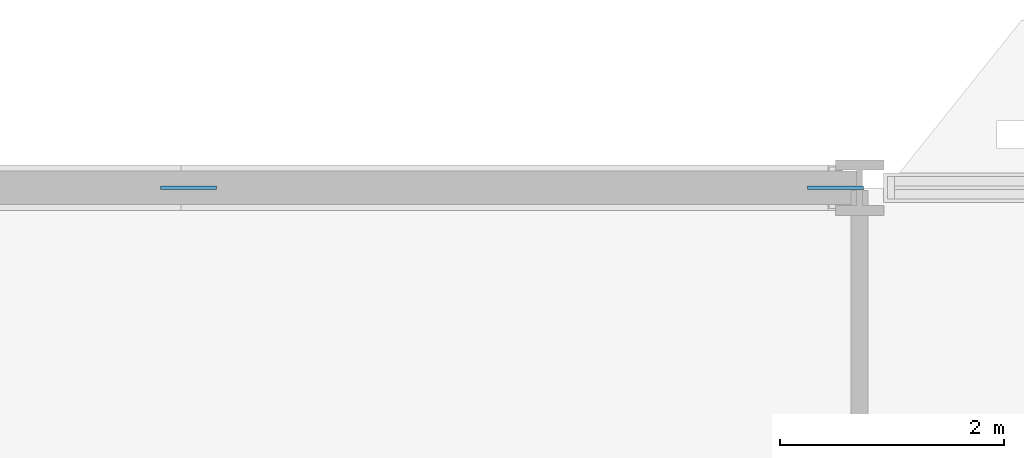
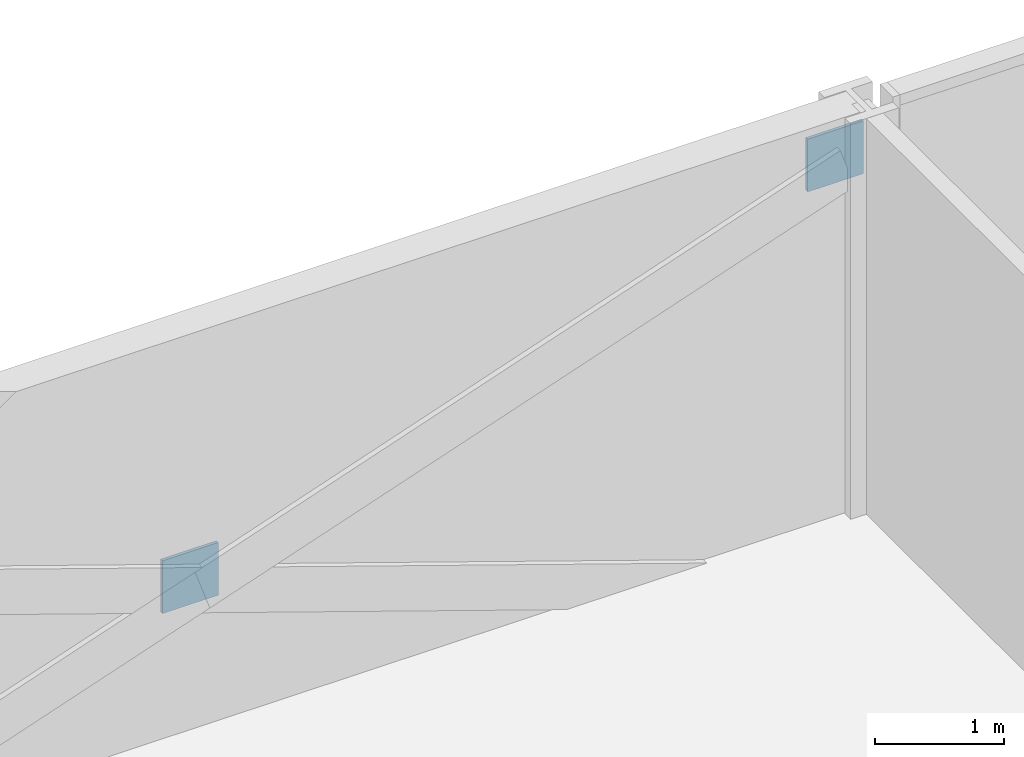
# One storey, part 19 of 29: 2 discrete accessories.
"""IFC4 building model written with IfcOpenShell, lengths in metres."""

import ifcopenshell
import ifcopenshell.guid

model = None  # the IFC model being written
_history = None  # IfcOwnerHistory: only IFC2X3 demands one
_inside = {}  # id of a spatial element -> (the spatial element, [elements in it])
_under = {}  # id of a project, library or spatial element -> (it, [spatial elements below it])
_declared = {}  # id of a project -> (the project, [libraries it declares])
_typed = {}  # id of a type object -> (the type object, [elements of that type])
_made_of = {}  # id of a material, layer set ... -> (it, [elements and type objects made of it])


def new_model(schema):
    """Start an empty IFC model of exactly this schema.

    Asked for "IFC4X3", IfcOpenShell would pick the latest addendum, in which some entities
    have other attributes; the version numbers below select the first issue.
    IFC2X3 requires an IfcOwnerHistory on every rooted entity: one is made here for all.
    """
    global model, _history
    if schema == "IFC4X3":
        model = ifcopenshell.file(schema_version=(4, 3, 0, 0))
    else:
        model = ifcopenshell.file(schema=schema)
    _inside.clear()
    _under.clear()
    _declared.clear()
    _typed.clear()
    _made_of.clear()
    _history = None
    if model.schema == "IFC2X3":
        org = make("IfcOrganization", Name="unknown")
        user = make(
            "IfcPersonAndOrganization",
            ThePerson=make("IfcPerson", FamilyName="unknown"),
            TheOrganization=org,
        )
        app = make(
            "IfcApplication",
            ApplicationDeveloper=org,
            Version="unknown",
            ApplicationFullName="unknown",
            ApplicationIdentifier="unknown",
        )
        _history = make(
            "IfcOwnerHistory",
            OwningUser=user,
            OwningApplication=app,
            ChangeAction="ADDED",
            CreationDate=0,
        )
    return model


def make(cls, **values):
    """One entity of the class cls with the attributes given. An attribute that is None is left unset."""
    return model.create_entity(
        cls, **{name: value for name, value in values.items() if value is not None}
    )


def rooted(cls, **values):
    """An entity with a GlobalId (a new one), such as an element, a storey or a relation."""
    return make(cls, GlobalId=ifcopenshell.guid.new(), OwnerHistory=_history, **values)


def si_unit(unit_type, name, prefix=None):
    """IfcSIUnit, for example si_unit("LENGTHUNIT", "METRE", prefix="MILLI")."""
    return make("IfcSIUnit", UnitType=unit_type, Prefix=prefix, Name=name)


def assignment(units):
    """IfcUnitAssignment: the units of a project."""
    return None if units is None else make("IfcUnitAssignment", Units=units)


def point(xyz):
    """IfcCartesianPoint."""
    return None if xyz is None else make("IfcCartesianPoint", Coordinates=xyz)


def direction(xyz):
    """IfcDirection."""
    return None if xyz is None else make("IfcDirection", DirectionRatios=xyz)


def frame(location, z_axis=None, x_axis=None):
    """IfcAxis2Placement3D, a coordinate frame: its origin and axes. An axis left out is left unset."""
    return make(
        "IfcAxis2Placement3D",
        Location=point(location),
        Axis=direction(z_axis),
        RefDirection=direction(x_axis),
    )


def frame_2d(location, x_axis=None):
    """IfcAxis2Placement2D, a coordinate frame in the plane: its origin and x axis."""
    return make(
        "IfcAxis2Placement2D", Location=point(location), RefDirection=direction(x_axis)
    )


def origin():
    """The frame at (0, 0, 0) with its axes left unset."""
    return frame((0.0, 0.0, 0.0))


def origin_2d():
    """The frame at (0, 0) in the plane with its x axis left unset."""
    return frame_2d((0.0, 0.0))


def place(relative_to, where):
    """IfcLocalPlacement: puts the frame where relative to a parent placement (None: the world)."""
    return make(
        "IfcLocalPlacement", PlacementRelTo=relative_to, RelativePlacement=where
    )


def context(
    kind, dimensions, precision=None, world=None, true_north=None, identifier=None
):
    """IfcGeometricRepresentationContext, for example the 3D "Model" context."""
    return make(
        "IfcGeometricRepresentationContext",
        ContextIdentifier=identifier,
        ContextType=kind,
        CoordinateSpaceDimension=dimensions,
        Precision=precision,
        WorldCoordinateSystem=world,
        TrueNorth=true_north,
    )


def subcontext(parent, identifier, kind, view, scale=None):
    """IfcGeometricRepresentationSubContext, for example "Body" below "Model"."""
    return make(
        "IfcGeometricRepresentationSubContext",
        ContextIdentifier=identifier,
        ContextType=kind,
        ParentContext=parent,
        TargetScale=scale,
        TargetView=view,
    )


def project(units=None, contexts=None):
    """IfcProject with its units and contexts."""
    return rooted(
        "IfcProject",
        Name="project",
        RepresentationContexts=contexts,
        UnitsInContext=assignment(units),
    )


def spatial(cls, under=None, at=None, **own):
    """A site, building, storey or space (cls), placed at a placement, below another one or the project."""
    s = rooted(cls, ObjectPlacement=at, **own)
    if under is not None:
        _under.setdefault(under.id(), (under, []))[1].append(s)
    return s


def profile(cls, at=None, kind="AREA", **sizes):
    """A parametric profile (cls). Its sizes go by their IFC names, for example OverallWidth=200.0."""
    return make(cls, ProfileType=kind, Position=at, **sizes)


def rectangle(**sizes):
    """IfcRectangleProfileDef."""
    return profile("IfcRectangleProfileDef", **sizes)


def extrude(swept, where, along, depth):
    """IfcExtrudedAreaSolid: the profile swept, set in the frame where, extruded along a direction by depth."""
    return make(
        "IfcExtrudedAreaSolid",
        SweptArea=swept,
        Position=where,
        ExtrudedDirection=direction(along),
        Depth=depth,
    )


def shape(context_of_items, identifier, shape_type, items):
    """IfcShapeRepresentation: the items that make up one representation, for example the "Body"."""
    return make(
        "IfcShapeRepresentation",
        ContextOfItems=context_of_items,
        RepresentationIdentifier=identifier,
        RepresentationType=shape_type,
        Items=items,
    )


def material(Name=None, Category=None):
    """IfcMaterial."""
    return make("IfcMaterial", Name=Name, Category=Category)


def layer(
    of_material, thickness, ventilated=None, Name=None, Category=None, Priority=None
):
    """IfcMaterialLayer: one layer of a wall or slab, of a material (None: an air gap)."""
    return make(
        "IfcMaterialLayer",
        Material=of_material,
        LayerThickness=thickness,
        IsVentilated=ventilated,
        Name=Name,
        Category=Category,
        Priority=Priority,
    )


def layer_set(layers, Name=None):
    """IfcMaterialLayerSet."""
    return make("IfcMaterialLayerSet", MaterialLayers=layers, LayerSetName=Name)


def made_of(thing, what):
    """Note that an element or type object is made of a material, layer set ...; save() writes the relation."""
    if what is not None:
        _made_of.setdefault(what.id(), (what, []))[1].append(thing)
    return thing


def type_object(cls, material=None, **own):
    """A type object (cls), such as IfcWallType, which elements share."""
    return made_of(rooted(cls, **own), material)


def element(
    cls,
    number,
    at=None,
    inside=None,
    cuts=None,
    type_object=None,
    material=None,
    context=None,
    identifier="Body",
    shape_type=None,
    held_by="IfcProductDefinitionShape",
    body=None,
    shapes=None,
    **own,
):
    """One element of the class cls, such as IfcWall. Its Tag is "e" and its number.

    at: its placement. inside: the storey or other place that contains it. cuts: it is an
    opening in that element (IfcRelVoidsElement). A single representation is given by context,
    identifier, shape_type and body (its items); several are given by shapes. held_by: the class
    of the entity that holds the representations. save() writes the other relations.
    """
    e = rooted(cls, Tag="e%d" % number, ObjectPlacement=at, **own)
    if body is not None:
        shapes = [shape(context, identifier, shape_type, body)]
    if shapes is not None:
        e.Representation = make(held_by, Representations=shapes)
    if inside is not None:
        _inside.setdefault(inside.id(), (inside, []))[1].append(e)
    if cuts is not None:
        rooted(
            "IfcRelVoidsElement", RelatingBuildingElement=cuts, RelatedOpeningElement=e
        )
    if type_object is not None:
        _typed.setdefault(type_object.id(), (type_object, []))[1].append(e)
    return made_of(e, material)


def aggregate(whole, parts):
    """IfcRelAggregates: a whole, such as a stair, and the parts it consists of."""
    return rooted("IfcRelAggregates", RelatingObject=whole, RelatedObjects=parts)


def save(model, path):
    """Write the relations noted so far, then the file.

    IfcRelAggregates (storeys below a building ...), IfcRelContainedInSpatialStructure (elements
    in a storey), IfcRelDefinesByType, IfcRelAssociatesMaterial and IfcRelDeclares: one each for
    every whole, place, type object, material and project.
    """
    for whole, parts in _under.values():
        aggregate(whole, parts)
    for where, things in _inside.values():
        rooted(
            "IfcRelContainedInSpatialStructure",
            RelatedElements=things,
            RelatingStructure=where,
        )
    for kind, things in _typed.values():
        rooted("IfcRelDefinesByType", RelatedObjects=things, RelatingType=kind)
    for what, things in _made_of.values():
        rooted("IfcRelAssociatesMaterial", RelatedObjects=things, RelatingMaterial=what)
    for by, libraries in _declared.values():
        rooted("IfcRelDeclares", RelatingContext=by, RelatedDefinitions=libraries)
    model.write(path)


model = new_model("IFC4")

# Units and contexts
model_context = context("Model", 3, precision=1e-05, world=origin(), true_north=direction((0.0, 1.0)))
body_context = subcontext(model_context, "Body", "Model", "MODEL_VIEW")
ifc_project = project(units=[si_unit("LENGTHUNIT", "METRE"), si_unit("AREAUNIT", "SQUARE_METRE"), si_unit("VOLUMEUNIT", "CUBIC_METRE"), si_unit("PLANEANGLEUNIT", "RADIAN"), si_unit("MASSUNIT", "GRAM", prefix="KILO")], contexts=[model_context])

# Site, building, storey
site_placement = place(None, origin())
site = spatial("IfcSite", under=ifc_project, at=site_placement, CompositionType="ELEMENT")
building_placement = place(site_placement, origin())
building = spatial("IfcBuilding", under=site, at=building_placement, Name="Mahtab Terrace Research Tower", CompositionType="ELEMENT")
storey_placement = place(building_placement, frame((0.0, 0.0, 37.300048828125)))
storey = spatial("IfcBuildingStorey", under=building, at=storey_placement, Name="L08", CompositionType="ELEMENT", Elevation=37.300048828125)

# Discrete accessories
ifc_material = material(Name="Steel ASTM A992 Gr 50", Category="steel")
ifc_layer = layer(ifc_material, 0.030029296875)
ifc_layer_set = layer_set([ifc_layer], Name="Gusset plate 500x500x30")
discrete_accessory_type = type_object("IfcDiscreteAccessoryType", Name="Gusset plate 500x500x30", PredefinedType="USERDEFINED", material=ifc_layer_set)
for number, where, z_axis, x_axis, name in (
    (1, (0.0, 23.0, 1.076416015625), (0.0, 0.0, 1.0), (1.0, 0.0, 0.0), "Gusset plate"),
    (2, (5.7841796875, 23.0, 3.0478515625), (0.0, 0.0, 1.0), (1.0, 0.0, 0.0), "Gusset plate"),
):
    element("IfcDiscreteAccessory", number, at=place(storey_placement, frame(where, z_axis=z_axis, x_axis=x_axis)), inside=storey, type_object=discrete_accessory_type, Name=name, ObjectType="GUSSET PLATE", PredefinedType="USERDEFINED", context=body_context, shape_type="SweptSolid", body=[
        extrude(rectangle(XDim=0.5, YDim=0.030029296875, at=origin_2d()), origin(), (0.0, 0.0, 1.0), 0.5),
    ])

save(model, "model.ifc")
